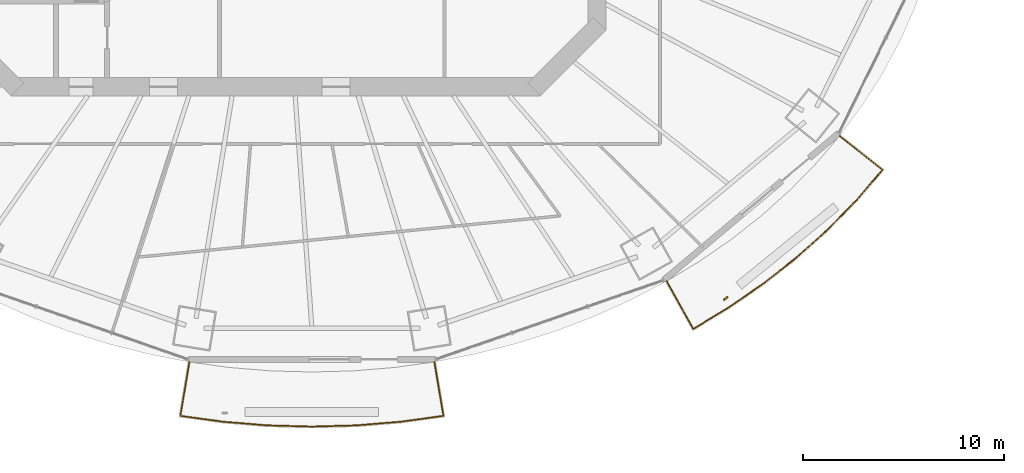
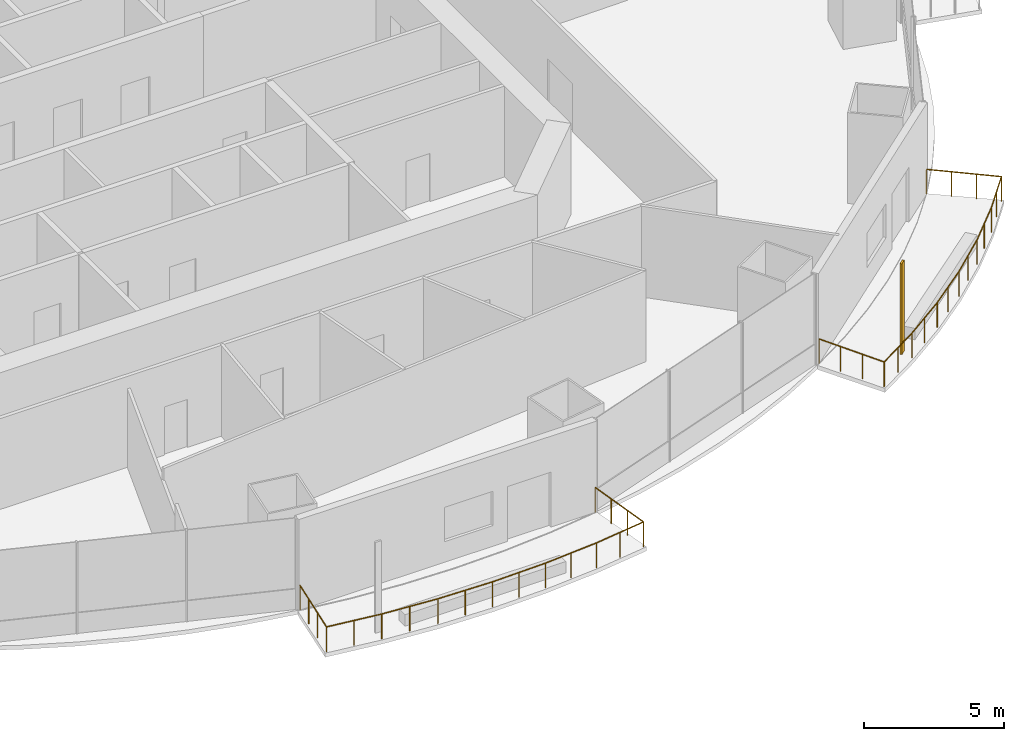
# One storey, part 17 of 21: 2 railings, 1 shading device.
"""IFC4 building model written with IfcOpenShell, lengths in metres."""

from ifc_helpers import new_model, si_unit, direction, frame, origin, origin_2d, place, context, subcontext, project, spatial, rectangle, circle, extrude, material, material_profile, profile_set, type_object, element, save


model = new_model("IFC4")

# Units and contexts
model_context = context("Model", 3, precision=1e-05, world=origin(), true_north=direction((0.0, 1.0)))
body_context = subcontext(model_context, "Body", "Model", "MODEL_VIEW")
ifc_project = project(units=[si_unit("LENGTHUNIT", "METRE"), si_unit("AREAUNIT", "SQUARE_METRE"), si_unit("VOLUMEUNIT", "CUBIC_METRE"), si_unit("PLANEANGLEUNIT", "RADIAN"), si_unit("MASSUNIT", "GRAM", prefix="KILO")], contexts=[model_context])

# Site, building, storey
site_placement = place(None, origin())
site = spatial("IfcSite", under=ifc_project, at=site_placement, CompositionType="ELEMENT")
building_placement = place(site_placement, origin())
building = spatial("IfcBuilding", under=site, at=building_placement, Name="Marenthal Gate Tower", CompositionType="ELEMENT")
storey_placement = place(building_placement, frame((0.0, 0.0, 202.550048828125)))
storey = spatial("IfcBuildingStorey", under=building, at=storey_placement, Name="L44", CompositionType="ELEMENT", Elevation=202.550048828125)

# Railings
ifc_material_1 = material(Name="Stainless steel", Category="steel")
railing_type = type_object("IfcRailingType", Name="Balcony guard 1100", PredefinedType="GUARDRAIL", material=ifc_material_1)
railing_1_placement = place(storey_placement, frame((7.90380859375, -26.716796875, 0.0)))
element("IfcRailing", 1, at=railing_1_placement, inside=storey, type_object=railing_type, Name="Balcony guard L44 bay 12", PredefinedType="GUARDRAIL", context=body_context, shape_type="SweptSolid", body=[
    extrude(circle(Radius=0.02392578125, at=origin_2d()), frame((0.0, 0.0, 1.076171875), z_axis=(0.16486141703, -0.98620691984, -0.01471816679), x_axis=(0.986313755456, 0.164879276438, 0.0)), (0.0, 0.0, 1.0), 2.720458984375),
    extrude(circle(Radius=0.02392578125, at=origin_2d()), frame((0.448486328125, -2.682861328125, 1.0361328125), z_axis=(-0.990663219108, -0.136331897612, 0.0), x_axis=(0.136331897612, -0.990663219108, 0.0)), (0.0, 0.0, 1.0), 2.136474609375),
    extrude(circle(Radius=0.02392578125, at=origin_2d()), frame((-1.66796875, -2.97412109375, 1.0361328125), z_axis=(-0.996604639132, -0.082335856465, 0.0), x_axis=(0.082335856465, -0.996604639132, 0.0)), (0.0, 0.0, 1.0), 2.220947265625),
    extrude(circle(Radius=0.02392578125, at=origin_2d()), frame((-3.88134765625, -3.156982421875, 1.0361328125), z_axis=(-0.999620072433, -0.027562851607, 0.0), x_axis=(0.027562851607, -0.999620072433, 0.0)), (0.0, 0.0, 1.0), 2.22314453125),
    extrude(circle(Radius=0.02392578125, at=origin_2d()), frame((-6.103759765625, -3.21826171875, 1.0361328125), z_axis=(-0.999620072433, 0.027562851607, 0.0), x_axis=(-0.027562851607, -0.999620072433, 0.0)), (0.0, 0.0, 1.0), 2.22314453125),
    extrude(circle(Radius=0.02392578125, at=origin_2d()), frame((-8.326171875, -3.156982421875, 1.0361328125), z_axis=(-0.996604639132, 0.082335856465, 0.0), x_axis=(-0.082335856465, -0.996604639132, 0.0)), (0.0, 0.0, 1.0), 2.220947265625),
    extrude(circle(Radius=0.02392578125, at=origin_2d()), frame((-10.53955078125, -2.97412109375, 1.0361328125), z_axis=(-0.990665342735, 0.136316465269, 0.0), x_axis=(-0.136316465269, -0.990665342735, 0.0)), (0.0, 0.0, 1.0), 2.13671875),
    extrude(circle(Radius=0.02392578125, at=origin_2d()), frame((-12.65625, -2.682861328125, 1.0361328125), z_axis=(0.16486141703, 0.98620691984, 0.01471816679), x_axis=(-0.986313755456, 0.164879276438, 0.0)), (0.0, 0.0, 1.0), 2.720458984375),
    extrude(circle(Radius=0.02099609375, at=origin_2d()), origin(), (0.0, 0.0, 1.0), 1.052001953125),
    extrude(circle(Radius=0.02099609375, at=origin_2d()), frame((0.1494140625, -0.894287109375, -0.013427734375)), (0.0, 0.0, 1.0), 1.052001953125),
    extrude(circle(Radius=0.02099609375, at=origin_2d()), frame((0.299072265625, -1.78857421875, -0.026611328125)), (0.0, 0.0, 1.0), 1.052001953125),
    extrude(circle(Radius=0.02099609375, at=origin_2d()), frame((0.448486328125, -2.682861328125, -0.0400390625)), (0.0, 0.0, 1.0), 1.052001953125),
    extrude(circle(Radius=0.02099609375, at=origin_2d()), frame((-0.60986328125, -2.82861328125, -0.0400390625)), (0.0, 0.0, 1.0), 1.052001953125),
    extrude(circle(Radius=0.02099609375, at=origin_2d()), frame((-1.66796875, -2.97412109375, -0.0400390625)), (0.0, 0.0, 1.0), 1.052001953125),
    extrude(circle(Radius=0.02099609375, at=origin_2d()), frame((-2.774658203125, -3.0654296875, -0.0400390625)), (0.0, 0.0, 1.0), 1.052001953125),
    extrude(circle(Radius=0.02099609375, at=origin_2d()), frame((-3.88134765625, -3.156982421875, -0.0400390625)), (0.0, 0.0, 1.0), 1.052001953125),
    extrude(circle(Radius=0.02099609375, at=origin_2d()), frame((-4.99267578125, -3.1875, -0.0400390625)), (0.0, 0.0, 1.0), 1.052001953125),
    extrude(circle(Radius=0.02099609375, at=origin_2d()), frame((-6.103759765625, -3.21826171875, -0.0400390625)), (0.0, 0.0, 1.0), 1.052001953125),
    extrude(circle(Radius=0.02099609375, at=origin_2d()), frame((-7.21484375, -3.1875, -0.0400390625)), (0.0, 0.0, 1.0), 1.052001953125),
    extrude(circle(Radius=0.02099609375, at=origin_2d()), frame((-8.326171875, -3.156982421875, -0.0400390625)), (0.0, 0.0, 1.0), 1.052001953125),
    extrude(circle(Radius=0.02099609375, at=origin_2d()), frame((-9.432861328125, -3.0654296875, -0.0400390625)), (0.0, 0.0, 1.0), 1.052001953125),
    extrude(circle(Radius=0.02099609375, at=origin_2d()), frame((-10.53955078125, -2.97412109375, -0.0400390625)), (0.0, 0.0, 1.0), 1.052001953125),
    extrude(circle(Radius=0.02099609375, at=origin_2d()), frame((-11.597900390625, -2.82861328125, -0.0400390625)), (0.0, 0.0, 1.0), 1.052001953125),
    extrude(circle(Radius=0.02099609375, at=origin_2d()), frame((-12.65625, -2.682861328125, -0.0400390625)), (0.0, 0.0, 1.0), 1.052001953125),
    extrude(circle(Radius=0.02099609375, at=origin_2d()), frame((-12.5068359375, -1.78857421875, -0.026611328125)), (0.0, 0.0, 1.0), 1.052001953125),
    extrude(circle(Radius=0.02099609375, at=origin_2d()), frame((-12.357177734375, -0.894287109375, -0.013427734375)), (0.0, 0.0, 1.0), 1.052001953125),
    extrude(circle(Radius=0.02099609375, at=origin_2d()), frame((-12.207763671875, 0.0, 0.0)), (0.0, 0.0, 1.0), 1.052001953125),
])
railing_2_placement = place(storey_placement, frame((28.10107421875, -15.44921875, 0.0)))
element("IfcRailing", 2, at=railing_2_placement, inside=storey, type_object=railing_type, Name="Balcony guard L44 bay 14", PredefinedType="GUARDRAIL", context=body_context, shape_type="SweptSolid", body=[
    extrude(circle(Radius=0.02392578125, at=origin_2d()), frame((0.0, 0.0, 1.076171875), z_axis=(0.782776566638, -0.62212877321, -0.014718568783), x_axis=(0.622196171988, 0.782861369313, 0.0)), (0.0, 0.0, 1.0), 2.72021484375),
    extrude(circle(Radius=0.02392578125, at=origin_2d()), frame((2.12939453125, -1.6923828125, 1.0361328125), z_axis=(-0.650106163754, -0.759843389028, 0.0), x_axis=(0.759843389028, -0.650106163754, 0.0)), (0.0, 0.0, 1.0), 1.966796875),
    extrude(circle(Radius=0.02392578125, at=origin_2d()), frame((0.850830078125, -3.186767578125, 1.0361328125), z_axis=(-0.698897192243, -0.715222143585, 0.0), x_axis=(0.715222143585, -0.698897192243, 0.0)), (0.0, 0.0, 1.0), 2.063720703125),
    extrude(circle(Radius=0.02392578125, at=origin_2d()), frame((-0.591552734375, -4.662841796875, 1.0361328125), z_axis=(-0.744529235913, -0.667589856776, 0.0), x_axis=(0.667589856776, -0.744529235913, 0.0)), (0.0, 0.0, 1.0), 2.08154296875),
    extrude(circle(Radius=0.02392578125, at=origin_2d()), frame((-2.141357421875, -6.052490234375, 1.0361328125), z_axis=(-0.785971142181, -0.618263183166, 0.0), x_axis=(0.618263183166, -0.785971142181, 0.0)), (0.0, 0.0, 1.0), 2.09912109375),
    extrude(circle(Radius=0.02392578125, at=origin_2d()), frame((-3.791259765625, -7.350341796875, 1.0361328125), z_axis=(-0.823307575665, -0.56759548611, 0.0), x_axis=(0.56759548611, -0.823307575665, 0.0)), (0.0, 0.0, 1.0), 2.11669921875),
    extrude(circle(Radius=0.02392578125, at=origin_2d()), frame((-5.533935546875, -8.5517578125, 1.0361328125), z_axis=(-0.856189474473, -0.516661962797, 0.0), x_axis=(0.516661962797, -0.856189474473, 0.0)), (0.0, 0.0, 1.0), 2.0537109375),
    extrude(circle(Radius=0.02392578125, at=origin_2d()), frame((-7.292236328125, -9.61279296875, 1.0361328125), z_axis=(-0.489654113359, 0.871792532473, 0.014718342117), x_axis=(-0.871886975849, -0.489707158764, 0.0)), (0.0, 0.0, 1.0), 2.720458984375),
    extrude(circle(Radius=0.02099609375, at=origin_2d()), origin(), (0.0, 0.0, 1.0), 1.052001953125),
    extrude(circle(Radius=0.02099609375, at=origin_2d()), frame((0.709716796875, -0.564208984375, -0.013427734375)), (0.0, 0.0, 1.0), 1.052001953125),
    extrude(circle(Radius=0.02099609375, at=origin_2d()), frame((1.419677734375, -1.128173828125, -0.026611328125)), (0.0, 0.0, 1.0), 1.052001953125),
    extrude(circle(Radius=0.02099609375, at=origin_2d()), frame((2.12939453125, -1.6923828125, -0.0400390625)), (0.0, 0.0, 1.0), 1.052001953125),
    extrude(circle(Radius=0.02099609375, at=origin_2d()), frame((1.490234375, -2.439453125, -0.0400390625)), (0.0, 0.0, 1.0), 1.052001953125),
    extrude(circle(Radius=0.02099609375, at=origin_2d()), frame((0.850830078125, -3.186767578125, -0.0400390625)), (0.0, 0.0, 1.0), 1.052001953125),
    extrude(circle(Radius=0.02099609375, at=origin_2d()), frame((0.129638671875, -3.9248046875, -0.0400390625)), (0.0, 0.0, 1.0), 1.052001953125),
    extrude(circle(Radius=0.02099609375, at=origin_2d()), frame((-0.591552734375, -4.662841796875, -0.0400390625)), (0.0, 0.0, 1.0), 1.052001953125),
    extrude(circle(Radius=0.02099609375, at=origin_2d()), frame((-1.366455078125, -5.357666015625, -0.0400390625)), (0.0, 0.0, 1.0), 1.052001953125),
    extrude(circle(Radius=0.02099609375, at=origin_2d()), frame((-2.141357421875, -6.052490234375, -0.0400390625)), (0.0, 0.0, 1.0), 1.052001953125),
    extrude(circle(Radius=0.02099609375, at=origin_2d()), frame((-2.96630859375, -6.701416015625, -0.0400390625)), (0.0, 0.0, 1.0), 1.052001953125),
    extrude(circle(Radius=0.02099609375, at=origin_2d()), frame((-3.791259765625, -7.350341796875, -0.0400390625)), (0.0, 0.0, 1.0), 1.052001953125),
    extrude(circle(Radius=0.02099609375, at=origin_2d()), frame((-4.66259765625, -7.951171875, -0.0400390625)), (0.0, 0.0, 1.0), 1.052001953125),
    extrude(circle(Radius=0.02099609375, at=origin_2d()), frame((-5.533935546875, -8.5517578125, -0.0400390625)), (0.0, 0.0, 1.0), 1.052001953125),
    extrude(circle(Radius=0.02099609375, at=origin_2d()), frame((-6.4130859375, -9.082275390625, -0.0400390625)), (0.0, 0.0, 1.0), 1.052001953125),
    extrude(circle(Radius=0.02099609375, at=origin_2d()), frame((-7.292236328125, -9.61279296875, -0.0400390625)), (0.0, 0.0, 1.0), 1.052001953125),
    extrude(circle(Radius=0.02099609375, at=origin_2d()), frame((-7.736328125, -8.822265625, -0.026611328125)), (0.0, 0.0, 1.0), 1.052001953125),
    extrude(circle(Radius=0.02099609375, at=origin_2d()), frame((-8.18017578125, -8.03173828125, -0.013427734375)), (0.0, 0.0, 1.0), 1.052001953125),
    extrude(circle(Radius=0.02099609375, at=origin_2d()), frame((-8.624267578125, -7.2412109375, 0.0)), (0.0, 0.0, 1.0), 1.052001953125),
])

# Shading device
ifc_material_2 = material(Name="Terracotta", Category="masonry")
ifc_material_profile = material_profile(ifc_material_2, rectangle(XDim=0.25, YDim=0.080078125, at=origin_2d()), Name="Terracotta baguette 250x80")
ifc_profile_set = profile_set([ifc_material_profile], Name="Terracotta")
shading_device_type = type_object("IfcShadingDeviceType", Name="Terracotta BAGUETTE SCREEN 250x80", PredefinedType="USERDEFINED", material=ifc_profile_set)
shading_device_placement = place(storey_placement, frame((22.424072265625, -23.54638671875, -0.0400390625), z_axis=(0.0, 0.0, 1.0), x_axis=(0.765704864788, 0.643192086425, 0.0)))
element("IfcShadingDevice", 3, at=shading_device_placement, inside=storey, type_object=shading_device_type, Name="Terracotta BAGUETTE L44 bay 14L", ObjectType="BAGUETTE SCREEN", PredefinedType="USERDEFINED", context=body_context, shape_type="SweptSolid", body=[
    extrude(rectangle(XDim=0.25, YDim=0.080078125, at=origin_2d()), origin(), (0.0, 0.0, 1.0), 3.969970703125),
])

save(model, "model.ifc")
